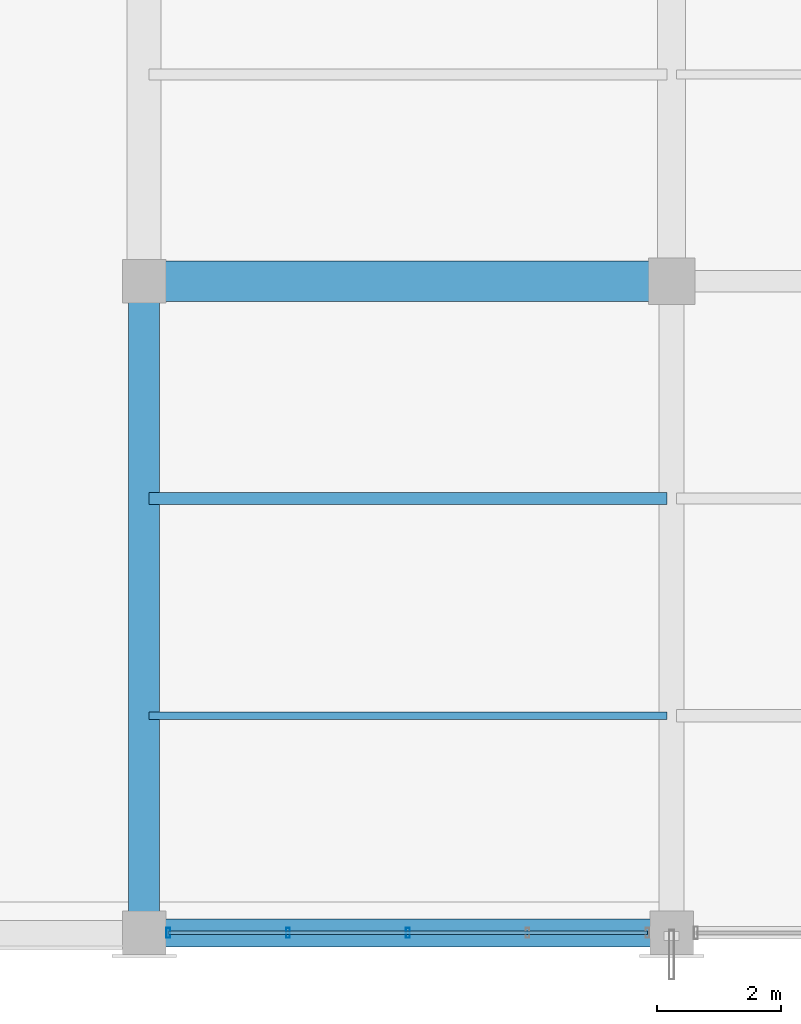
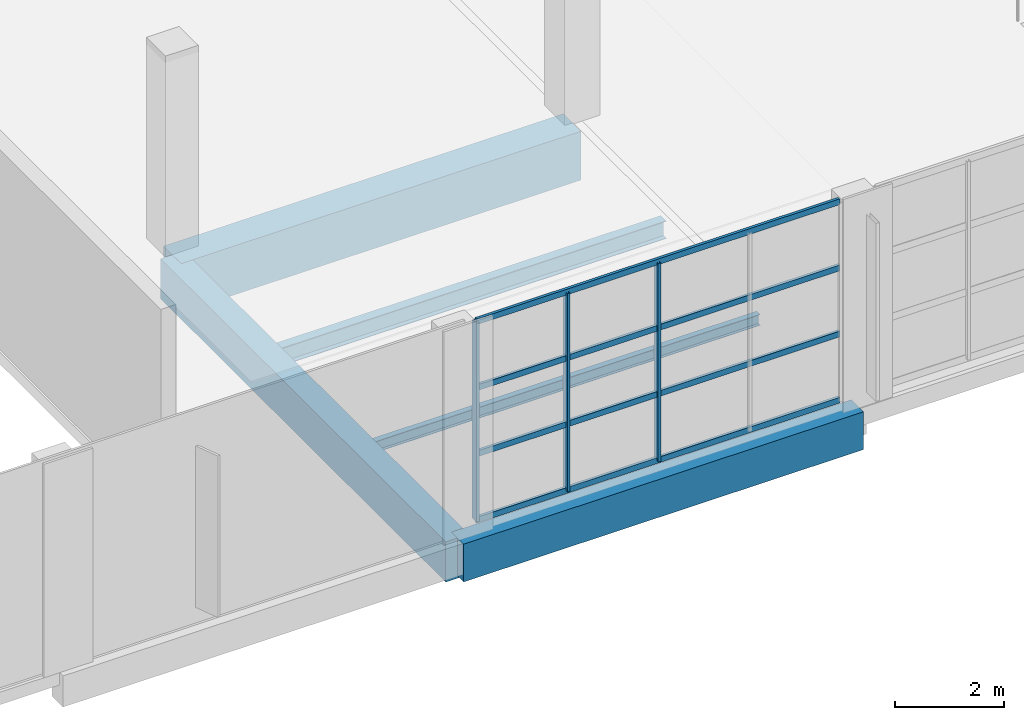
# One storey, part 11 of 112: 7 members, 5 beams, 1 element without a shape of its own.
"""IFC4 building model written with IfcOpenShell, lengths in metres."""

from ifc_helpers import new_model, si_unit, direction, frame, origin, origin_2d, place, context, subcontext, project, spatial, rectangle, hollow_rectangle, i_section, extrude, material, material_profile, profile_set, type_object, element, aggregate, save


model = new_model("IFC4")

# Units and contexts
model_context = context("Model", 3, precision=1e-05, world=origin(), true_north=direction((0.0, 1.0)))
body_context = subcontext(model_context, "Body", "Model", "MODEL_VIEW")
ifc_project = project(units=[si_unit("LENGTHUNIT", "METRE"), si_unit("AREAUNIT", "SQUARE_METRE"), si_unit("VOLUMEUNIT", "CUBIC_METRE"), si_unit("PLANEANGLEUNIT", "RADIAN"), si_unit("MASSUNIT", "GRAM", prefix="KILO")], contexts=[model_context])

# Site, building, storey
site_placement = place(None, origin())
site = spatial("IfcSite", under=ifc_project, at=site_placement, CompositionType="ELEMENT")
building_placement = place(site_placement, origin())
building = spatial("IfcBuilding", under=site, at=building_placement, Name="Solvikara Media Centre", CompositionType="ELEMENT")
storey_placement = place(building_placement, frame((0.0, 0.0, 5.39990234375)))
storey = spatial("IfcBuildingStorey", under=building, at=storey_placement, Name="L01", CompositionType="ELEMENT", Elevation=5.39990234375)

# Beams
ifc_material_1 = material(Name="Concrete fc' 45 MPa (C45/55)", Category="concrete")
ifc_material_profile_1 = material_profile(ifc_material_1, rectangle(XDim=0.5, YDim=0.89990234375, at=origin_2d()), Name="RC 500x900")
ifc_profile_set_1 = profile_set([ifc_material_profile_1], Name="Concrete fc' 45 MPa (C45/55)")
beam_type_1 = type_object("IfcBeamType", Name="BM-09", PredefinedType="BEAM", material=ifc_profile_set_1)
beam_1_placement = place(storey_placement, frame((25.5, 0.0, -0.7099609375), z_axis=(0.0, 1.0, 0.0), x_axis=(-1.0, 0.0, 0.0)))
element("IfcBeam", 1, at=beam_1_placement, inside=storey, type_object=beam_type_1, Name="B-L01-Y0561", PredefinedType="BEAM", context=body_context, shape_type="SweptSolid", body=[
    extrude(rectangle(XDim=0.5, YDim=0.89990234375, at=origin_2d()), origin(), (0.0, 0.0, 1.0), 10.5),
])
ifc_material_profile_2 = material_profile(ifc_material_1, rectangle(XDim=0.64990234375, YDim=1.10009765625, at=origin_2d()), Name="RC 650x1100")
ifc_profile_set_2 = profile_set([ifc_material_profile_2], Name="Concrete fc' 45 MPa (C45/55)")
beam_type_2 = type_object("IfcBeamType", Name="BM-12", PredefinedType="BEAM", material=ifc_profile_set_2)
beam_2_placement = place(storey_placement, frame((25.5, 10.5, -0.809814453125), z_axis=(1.0, 0.0, 0.0), x_axis=(0.0, 1.0, 0.0)))
element("IfcBeam", 2, at=beam_2_placement, inside=storey, type_object=beam_type_2, Name="B-L01-X0456", PredefinedType="BEAM", context=body_context, shape_type="SweptSolid", body=[
    extrude(rectangle(XDim=0.64990234375, YDim=1.10009765625, at=origin_2d()), origin(), (0.0, 0.0, 1.0), 8.5),
])
ifc_material_2 = material(Name="Concrete fc' 35 MPa (C35/45)", Category="concrete")
ifc_material_profile_3 = material_profile(ifc_material_2, rectangle(XDim=0.449951171875, YDim=0.85009765625, at=origin_2d()), Name="RC 450x850")
ifc_profile_set_3 = profile_set([ifc_material_profile_3], Name="Concrete fc' 35 MPa (C35/45)")
beam_type_3 = type_object("IfcBeamType", Name="BM-14", PredefinedType="SPANDREL", material=ifc_profile_set_3)
beam_3_placement = place(storey_placement, frame((25.5, 0.0, -0.684814453125), z_axis=(1.0, 0.0, 0.0), x_axis=(0.0, 1.0, 0.0)))
element("IfcBeam", 3, at=beam_3_placement, inside=storey, type_object=beam_type_3, Name="B-L01-X0442", PredefinedType="SPANDREL", context=body_context, shape_type="SweptSolid", body=[
    extrude(rectangle(XDim=0.449951171875, YDim=0.85009765625, at=origin_2d()), origin(), (0.0, 0.0, 1.0), 8.5),
])
ifc_material_3 = material(Name="Steel S355JR", Category="steel")
ifc_material_profile_4 = material_profile(ifc_material_3, i_section(OverallWidth=0.199951171875, OverallDepth=0.39990234375, WebThickness=0.008056640625, FlangeThickness=0.012939453125, at=origin_2d()), Name="WF 400x200x8x13")
ifc_profile_set_4 = profile_set([ifc_material_profile_4], Name="Steel S355JR")
beam_type_4 = type_object("IfcBeamType", Name="BM-21", PredefinedType="JOIST", material=ifc_profile_set_4)
beam_4_placement = place(storey_placement, frame((25.577880859375, 7.0, -0.4619140625), z_axis=(1.0, 0.0, 0.0), x_axis=(0.0, 1.0, 0.0)))
element("IfcBeam", 4, at=beam_4_placement, inside=storey, type_object=beam_type_4, Name="J-L01-0713", PredefinedType="JOIST", context=body_context, shape_type="SweptSolid", body=[
    extrude(i_section(OverallWidth=0.199951171875, OverallDepth=0.39990234375, WebThickness=0.008056640625, FlangeThickness=0.012939453125, at=origin_2d()), origin(), (0.0, 0.0, 1.0), 8.34423828125),
])
ifc_material_profile_5 = material_profile(ifc_material_3, i_section(OverallWidth=0.1240234375, OverallDepth=0.248046875, WebThickness=0.0048828125, FlangeThickness=0.008056640625, at=origin_2d()), Name="WF 248x124x5x8")
ifc_profile_set_5 = profile_set([ifc_material_profile_5], Name="Steel S355JR")
beam_type_5 = type_object("IfcBeamType", Name="BM-40", PredefinedType="JOIST", material=ifc_profile_set_5)
beam_5_placement = place(storey_placement, frame((25.577880859375, 3.5, -0.385986328125), z_axis=(1.0, 0.0, 0.0), x_axis=(0.0, 1.0, 0.0)))
element("IfcBeam", 5, at=beam_5_placement, inside=storey, type_object=beam_type_5, Name="J-L01-0712", PredefinedType="JOIST", context=body_context, shape_type="SweptSolid", body=[
    extrude(i_section(OverallWidth=0.1240234375, OverallDepth=0.248046875, WebThickness=0.0048828125, FlangeThickness=0.008056640625, at=origin_2d()), origin(), (0.0, 0.0, 1.0), 8.34423828125),
])

# Curtain wall, members
ifc_material_4 = material(Name="Anodised aluminium EN AW-6063", Category="aluminium")
curtain_wall_type = type_object("IfcCurtainWallType", Name="CW-07", PredefinedType="NOTDEFINED", material=ifc_material_4)
curtain_wall_placement = place(storey_placement, origin())
curtain_wall = element("IfcCurtainWall", 6, at=curtain_wall_placement, inside=storey, type_object=curtain_wall_type, Name="CW-L01-V1SE", PredefinedType="NOTDEFINED")
ifc_material_profile_6 = material_profile(ifc_material_4, hollow_rectangle(XDim=0.06005859375, YDim=0.159912109375, WallThickness=0.00341796875, at=origin_2d()), Name="ALU-M 60x160x3.5")
ifc_profile_set_6 = profile_set([ifc_material_profile_6], Name="Anodised aluminium EN AW-6063")
member_type_1 = type_object("IfcMemberType", Name="MF-04", PredefinedType="MULLION", material=ifc_profile_set_6)
member_1_placement = place(storey_placement, frame((25.889892578125, 0.0, 0.02001953125), z_axis=(0.0, 0.0, 1.0), x_axis=(1.0, 0.0, 0.0)))
member_1 = element("IfcMember", 7, at=member_1_placement, type_object=member_type_1, Name="CW-L01-V1SE-M00", PredefinedType="MULLION", context=body_context, shape_type="SweptSolid", body=[
    extrude(hollow_rectangle(XDim=0.06005859375, YDim=0.159912109375, WallThickness=0.00341796875, at=origin_2d()), origin(), (0.0, 0.0, 1.0), 4.4599609375),
])
member_2_placement = place(storey_placement, frame((27.820068359375, 0.0, 0.02001953125), z_axis=(0.0, 0.0, 1.0), x_axis=(1.0, 0.0, 0.0)))
member_2 = element("IfcMember", 8, at=member_2_placement, type_object=member_type_1, Name="CW-L01-V1SE-M01", PredefinedType="MULLION", context=body_context, shape_type="SweptSolid", body=[
    extrude(hollow_rectangle(XDim=0.06005859375, YDim=0.159912109375, WallThickness=0.00341796875, at=origin_2d()), origin(), (0.0, 0.0, 1.0), 4.4599609375),
])
member_3_placement = place(storey_placement, frame((29.75, 0.0, 0.02001953125), z_axis=(0.0, 0.0, 1.0), x_axis=(1.0, 0.0, 0.0)))
member_3 = element("IfcMember", 9, at=member_3_placement, type_object=member_type_1, Name="CW-L01-V1SE-M02", PredefinedType="MULLION", context=body_context, shape_type="SweptSolid", body=[
    extrude(hollow_rectangle(XDim=0.06005859375, YDim=0.159912109375, WallThickness=0.00341796875, at=origin_2d()), origin(), (0.0, 0.0, 1.0), 4.4599609375),
])
ifc_material_profile_7 = material_profile(ifc_material_4, hollow_rectangle(XDim=0.06005859375, YDim=0.1298828125, WallThickness=0.0029296875, at=origin_2d()), Name="ALU-T 60x130x3")
ifc_profile_set_7 = profile_set([ifc_material_profile_7], Name="Anodised aluminium EN AW-6063")
member_type_2 = type_object("IfcMemberType", Name="MF-10", PredefinedType="USERDEFINED", material=ifc_profile_set_7)
member_4_placement = place(storey_placement, frame((25.889892578125, 0.0, 0.02001953125), z_axis=(1.0, 0.0, 0.0), x_axis=(0.0, 1.0, 0.0)))
member_4 = element("IfcMember", 10, at=member_4_placement, type_object=member_type_2, Name="CW-L01-V1SE-T00", ObjectType="TRANSOM", PredefinedType="USERDEFINED", context=body_context, shape_type="SweptSolid", body=[
    extrude(hollow_rectangle(XDim=0.06005859375, YDim=0.1298828125, WallThickness=0.0029296875, at=origin_2d()), origin(), (0.0, 0.0, 1.0), 7.72021484375),
])
member_5_placement = place(storey_placement, frame((25.889892578125, 0.0, 1.507080078125), z_axis=(1.0, 0.0, 0.0), x_axis=(0.0, 1.0, 0.0)))
member_5 = element("IfcMember", 11, at=member_5_placement, type_object=member_type_2, Name="CW-L01-V1SE-T01", ObjectType="TRANSOM", PredefinedType="USERDEFINED", context=body_context, shape_type="SweptSolid", body=[
    extrude(hollow_rectangle(XDim=0.06005859375, YDim=0.1298828125, WallThickness=0.0029296875, at=origin_2d()), origin(), (0.0, 0.0, 1.0), 7.72021484375),
])
member_6_placement = place(storey_placement, frame((25.889892578125, 0.0, 2.9931640625), z_axis=(1.0, 0.0, 0.0), x_axis=(0.0, 1.0, 0.0)))
member_6 = element("IfcMember", 12, at=member_6_placement, type_object=member_type_2, Name="CW-L01-V1SE-T02", ObjectType="TRANSOM", PredefinedType="USERDEFINED", context=body_context, shape_type="SweptSolid", body=[
    extrude(hollow_rectangle(XDim=0.06005859375, YDim=0.1298828125, WallThickness=0.0029296875, at=origin_2d()), origin(), (0.0, 0.0, 1.0), 7.72021484375),
])
member_7_placement = place(storey_placement, frame((25.889892578125, 0.0, 4.47998046875), z_axis=(1.0, 0.0, 0.0), x_axis=(0.0, 1.0, 0.0)))
member_7 = element("IfcMember", 13, at=member_7_placement, type_object=member_type_2, Name="CW-L01-V1SE-T03", ObjectType="TRANSOM", PredefinedType="USERDEFINED", context=body_context, shape_type="SweptSolid", body=[
    extrude(hollow_rectangle(XDim=0.06005859375, YDim=0.1298828125, WallThickness=0.0029296875, at=origin_2d()), origin(), (0.0, 0.0, 1.0), 7.72021484375),
])
aggregate(curtain_wall, [member_1, member_2, member_3, member_4, member_5, member_6, member_7])

save(model, "model.ifc")
